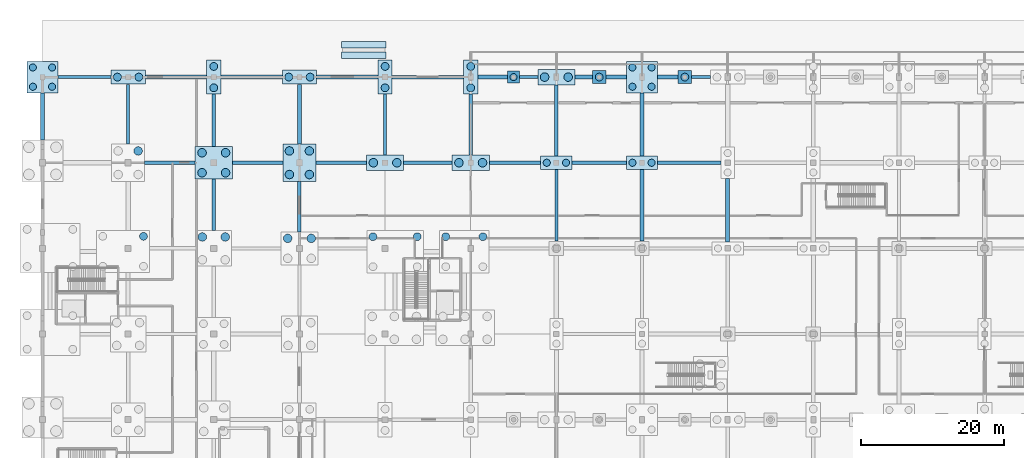
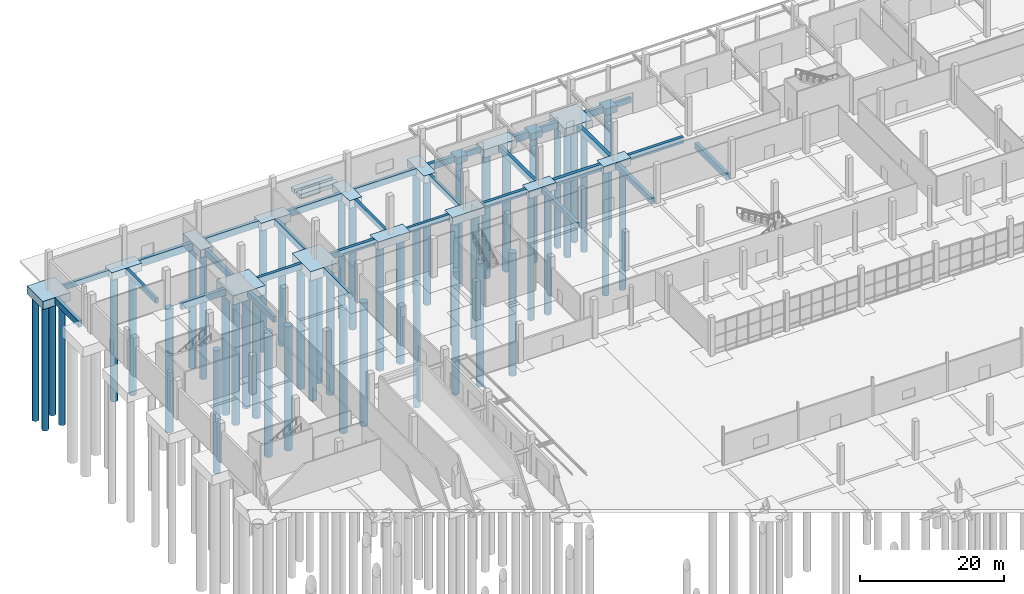
# One storey, part 12 of 117: 50 footings, 49 piles.
"""IFC4 building model written with IfcOpenShell, lengths in metres."""

from ifc_helpers import new_model, si_unit, direction, frame, origin, origin_2d, place, context, subcontext, project, spatial, rectangle, circle, extrude, material, material_profile, profile_set, type_object, element, save


model = new_model("IFC4")

# Units and contexts
model_context = context("Model", 3, precision=1e-05, world=origin(), true_north=direction((0.0, 1.0)))
body_context = subcontext(model_context, "Body", "Model", "MODEL_VIEW")
ifc_project = project(units=[si_unit("LENGTHUNIT", "METRE"), si_unit("AREAUNIT", "SQUARE_METRE"), si_unit("VOLUMEUNIT", "CUBIC_METRE"), si_unit("PLANEANGLEUNIT", "RADIAN"), si_unit("MASSUNIT", "GRAM", prefix="KILO")], contexts=[model_context])

# Site, building, storey
site_placement = place(None, origin())
site = spatial("IfcSite", under=ifc_project, at=site_placement, CompositionType="ELEMENT")
building_placement = place(site_placement, origin())
building = spatial("IfcBuilding", under=site, at=building_placement, Name="Kamomehara Wholesale Market", CompositionType="ELEMENT")
storey_placement = place(building_placement, origin())
storey = spatial("IfcBuildingStorey", under=building, at=storey_placement, Name="L00", CompositionType="ELEMENT", Elevation=0.0)

# Footings
ifc_material_1 = material(Name="Concrete Fc30 (C30/37)", Category="concrete")
footing_type_1 = type_object("IfcFootingType", Name="CAP-1P-1700", PredefinedType="PILE_CAP", material=ifc_material_1)
footing_1_placement = place(storey_placement, frame((66.0, 156.0, -1.10009765625), z_axis=(0.0, 0.0, 1.0), x_axis=(1.0, 0.0, 0.0)))
element("IfcFooting", 1, at=footing_1_placement, inside=storey, type_object=footing_type_1, Name="Pile cap PC-01", PredefinedType="PILE_CAP", context=body_context, shape_type="SweptSolid", body=[
    extrude(rectangle(XDim=1.699951171875, YDim=1.699951171875, at=origin_2d()), origin(), (0.0, 0.0, 1.0), 1.10009765625),
])
ifc_material_2 = material(Name="Concrete Fc30 (C30/37)", Category="concrete")
footing_type_2 = type_object("IfcFootingType", Name="CAP-1P-1850", PredefinedType="PILE_CAP", material=ifc_material_2)
for number, where, z_axis, x_axis, name in (
    (2, (78.0, 156.0, -1.14990234375), (0.0, 0.0, 1.0), (1.0, 0.0, 0.0), "Pile cap PC-02"),
    (3, (90.0, 156.0, -1.14990234375), (0.0, 0.0, 1.0), (1.0, 0.0, 0.0), "Pile cap PC-02"),
):
    element("IfcFooting", number, at=place(storey_placement, frame(where, z_axis=z_axis, x_axis=x_axis)), inside=storey, type_object=footing_type_2, Name=name, PredefinedType="PILE_CAP", context=body_context, shape_type="SweptSolid", body=[
        extrude(rectangle(XDim=1.85009765625, YDim=1.85009765625, at=origin_2d()), origin(), (0.0, 0.0, 1.0), 1.14990234375),
    ])
ifc_material_3 = material(Name="Concrete Fc30 (C30/37)", Category="concrete")
footing_type_3 = type_object("IfcFootingType", Name="CAP-2PX-4400", PredefinedType="PILE_CAP", material=ifc_material_3)
for number, where, z_axis, x_axis, name in (
    (4, (72.0, 144.0, -1.25), (0.0, 0.0, 1.0), (1.0, 0.0, 0.0), "Pile cap PC-04"),
    (5, (84.0, 144.0, -1.25), (0.0, 0.0, 1.0), (1.0, 0.0, 0.0), "Pile cap PC-04"),
):
    element("IfcFooting", number, at=place(storey_placement, frame(where, z_axis=z_axis, x_axis=x_axis)), inside=storey, type_object=footing_type_3, Name=name, PredefinedType="PILE_CAP", context=body_context, shape_type="SweptSolid", body=[
        extrude(rectangle(XDim=4.39990234375, YDim=1.85009765625, at=origin_2d()), origin(), (0.0, 0.0, 1.0), 1.25),
    ])
ifc_material_4 = material(Name="Concrete Fc30 (C30/37)", Category="concrete")
footing_type_4 = type_object("IfcFootingType", Name="CAP-2PX-4800", PredefinedType="PILE_CAP", material=ifc_material_4)
for number, where, z_axis, x_axis, name in (
    (6, (12.0, 156.0, -1.2998046875), (0.0, 0.0, 1.0), (1.0, 0.0, 0.0), "Pile cap PC-06"),
    (7, (36.0, 156.0, -1.2998046875), (0.0, 0.0, 1.0), (1.0, 0.0, 0.0), "Pile cap PC-06"),
):
    element("IfcFooting", number, at=place(storey_placement, frame(where, z_axis=z_axis, x_axis=x_axis)), inside=storey, type_object=footing_type_4, Name=name, PredefinedType="PILE_CAP", context=body_context, shape_type="SweptSolid", body=[
        extrude(rectangle(XDim=4.800048828125, YDim=2.0, at=origin_2d()), origin(), (0.0, 0.0, 1.0), 1.300048828125),
    ])
ifc_material_5 = material(Name="Concrete Fc30 (C30/37)", Category="concrete")
footing_type_5 = type_object("IfcFootingType", Name="CAP-2PX-5200", PredefinedType="PILE_CAP", material=ifc_material_5)
for number, where, z_axis, x_axis, name in (
    (8, (48.0, 144.0, -1.35009765625), (0.0, 0.0, 1.0), (1.0, 0.0, 0.0), "Pile cap PC-08"),
    (9, (60.0, 144.0, -1.35009765625), (0.0, 0.0, 1.0), (1.0, 0.0, 0.0), "Pile cap PC-08"),
    (10, (72.0, 156.0, -1.35009765625), (0.0, 0.0, 1.0), (1.0, 0.0, 0.0), "Pile cap PC-08"),
):
    element("IfcFooting", number, at=place(storey_placement, frame(where, z_axis=z_axis, x_axis=x_axis)), inside=storey, type_object=footing_type_5, Name=name, PredefinedType="PILE_CAP", context=body_context, shape_type="SweptSolid", body=[
        extrude(rectangle(XDim=5.199951171875, YDim=2.14990234375, at=origin_2d()), origin(), (0.0, 0.0, 1.0), 1.35009765625),
    ])
ifc_material_6 = material(Name="Concrete Fc30 (C30/37)", Category="concrete")
footing_type_6 = type_object("IfcFootingType", Name="CAP-2PY-4800", PredefinedType="PILE_CAP", material=ifc_material_6)
for number, where, z_axis, x_axis, name in (
    (11, (24.0, 156.0, -1.2998046875), (0.0, 0.0, 1.0), (1.0, 0.0, 0.0), "Pile cap PC-07"),
    (12, (48.0, 156.0, -1.2998046875), (0.0, 0.0, 1.0), (1.0, 0.0, 0.0), "Pile cap PC-07"),
    (13, (60.0, 156.0, -1.2998046875), (0.0, 0.0, 1.0), (1.0, 0.0, 0.0), "Pile cap PC-07"),
):
    element("IfcFooting", number, at=place(storey_placement, frame(where, z_axis=z_axis, x_axis=x_axis)), inside=storey, type_object=footing_type_6, Name=name, PredefinedType="PILE_CAP", context=body_context, shape_type="SweptSolid", body=[
        extrude(rectangle(XDim=2.0, YDim=4.800048828125, at=origin_2d()), origin(), (0.0, 0.0, 1.0), 1.300048828125),
    ])
ifc_material_7 = material(Name="Concrete Fc30 (C30/37)", Category="concrete")
footing_type_7 = type_object("IfcFootingType", Name="CAP-4P-4400", PredefinedType="PILE_CAP", material=ifc_material_7)
for number, where, z_axis, x_axis, name in (
    (14, (0.0, 156.0, -1.39990234375), (0.0, 0.0, 1.0), (1.0, 0.0, 0.0), "Pile cap PC-10"),
    (15, (84.0, 156.0, -1.39990234375), (0.0, 0.0, 1.0), (1.0, 0.0, 0.0), "Pile cap PC-10"),
):
    element("IfcFooting", number, at=place(storey_placement, frame(where, z_axis=z_axis, x_axis=x_axis)), inside=storey, type_object=footing_type_7, Name=name, PredefinedType="PILE_CAP", context=body_context, shape_type="SweptSolid", body=[
        extrude(rectangle(XDim=4.39990234375, YDim=4.39990234375, at=origin_2d()), origin(), (0.0, 0.0, 1.0), 1.39990234375),
    ])
ifc_material_8 = material(Name="Concrete Fc30 (C30/37)", Category="concrete")
footing_type_8 = type_object("IfcFootingType", Name="CAP-4PR-4600", PredefinedType="PILE_CAP", material=ifc_material_8)
footing_2_placement = place(storey_placement, frame((36.0, 144.0, -1.5498046875), z_axis=(0.0, 0.0, 1.0), x_axis=(1.0, 0.0, 0.0)))
element("IfcFooting", 16, at=footing_2_placement, inside=storey, type_object=footing_type_8, Name="Pile cap PC-16", PredefinedType="PILE_CAP", context=body_context, shape_type="SweptSolid", body=[
    extrude(rectangle(XDim=4.60009765625, YDim=5.199951171875, at=origin_2d()), origin(), (0.0, 0.0, 1.0), 1.550048828125),
])
ifc_material_9 = material(Name="Concrete Fc30 (C30/37)", Category="concrete")
footing_type_9 = type_object("IfcFootingType", Name="CAP-4PR-5200", PredefinedType="PILE_CAP", material=ifc_material_9)
footing_3_placement = place(storey_placement, frame((24.0, 144.0, -1.5498046875), z_axis=(0.0, 0.0, 1.0), x_axis=(1.0, 0.0, 0.0)))
element("IfcFooting", 17, at=footing_3_placement, inside=storey, type_object=footing_type_9, Name="Pile cap PC-15", PredefinedType="PILE_CAP", context=body_context, shape_type="SweptSolid", body=[
    extrude(rectangle(XDim=5.199951171875, YDim=4.60009765625, at=origin_2d()), origin(), (0.0, 0.0, 1.0), 1.550048828125),
])
ifc_material_10 = material(Name="Concrete Fc30 (C30/37)", Category="concrete")
ifc_material_profile_1 = material_profile(ifc_material_10, rectangle(XDim=0.449951171875, YDim=0.89990234375, at=origin_2d()), Name="RC-FTB-450x900")
ifc_profile_set_1 = profile_set([ifc_material_profile_1], Name="Concrete Fc30 (C30/37)")
footing_type_10 = type_object("IfcFootingType", Name="FTB-450x900", PredefinedType="FOOTING_BEAM", material=ifc_profile_set_1)
footing_4_placement = place(storey_placement, frame((2.201904296875, 156.0, -0.449951171875), z_axis=(1.0, 0.0, 0.0), x_axis=(0.0, 1.0, 0.0)))
element("IfcFooting", 18, at=footing_4_placement, inside=storey, type_object=footing_type_10, Name="Foundation tie beam 11", PredefinedType="FOOTING_BEAM", context=body_context, shape_type="SweptSolid", body=[
    extrude(rectangle(XDim=0.449951171875, YDim=0.89990234375, at=origin_2d()), origin(), (0.0, 0.0, 1.0), 7.39599609375),
])
footing_5_placement = place(storey_placement, frame((50.60205078125, 144.0, -0.449951171875), z_axis=(1.0, 0.0, 0.0), x_axis=(0.0, 1.0, 0.0)))
element("IfcFooting", 19, at=footing_5_placement, inside=storey, type_object=footing_type_10, Name="Foundation tie beam 51", PredefinedType="FOOTING_BEAM", context=body_context, shape_type="SweptSolid", body=[
    extrude(rectangle(XDim=0.449951171875, YDim=0.89990234375, at=origin_2d()), origin(), (0.0, 0.0, 1.0), 6.7958984375),
])
footing_6_placement = place(storey_placement, frame((66.85205078125, 156.0, -0.449951171875), z_axis=(1.0, 0.0, 0.0), x_axis=(0.0, 1.0, 0.0)))
element("IfcFooting", 20, at=footing_6_placement, inside=storey, type_object=footing_type_10, Name="Foundation tie beam 63", PredefinedType="FOOTING_BEAM", context=body_context, shape_type="SweptSolid", body=[
    extrude(rectangle(XDim=0.449951171875, YDim=0.89990234375, at=origin_2d()), origin(), (0.0, 0.0, 1.0), 2.5458984375),
])
footing_7_placement = place(storey_placement, frame((90.927001953125, 156.0, -0.449951171875), z_axis=(1.0, 0.0, 0.0), x_axis=(0.0, 1.0, 0.0)))
element("IfcFooting", 21, at=footing_7_placement, inside=storey, type_object=footing_type_10, Name="Foundation tie beam 91", PredefinedType="FOOTING_BEAM", context=body_context, shape_type="SweptSolid", body=[
    extrude(rectangle(XDim=0.449951171875, YDim=0.89990234375, at=origin_2d()), origin(), (0.0, 0.0, 1.0), 2.6708984375),
])
footing_8_placement = place(storey_placement, frame((12.0, 146.60205078125, -0.449951171875), z_axis=(0.0, 1.0, 0.0), x_axis=(-1.0, 0.0, 0.0)))
element("IfcFooting", 22, at=footing_8_placement, inside=storey, type_object=footing_type_10, Name="Foundation tie beam 219", PredefinedType="FOOTING_BEAM", context=body_context, shape_type="SweptSolid", body=[
    extrude(rectangle(XDim=0.449951171875, YDim=0.89990234375, at=origin_2d()), origin(), (0.0, 0.0, 1.0), 8.39599609375),
])
for number, where, z_axis, x_axis, name in (
    (23, (48.0, 145.076904296875, -0.449951171875), (0.0, 1.0, 0.0), (-1.0, 0.0, 0.0), "Foundation tie beam 247"),
    (24, (60.0, 145.076904296875, -0.449951171875), (0.0, 1.0, 0.0), (-1.0, 0.0, 0.0), "Foundation tie beam 255"),
):
    element("IfcFooting", number, at=place(storey_placement, frame(where, z_axis=z_axis, x_axis=x_axis)), inside=storey, type_object=footing_type_10, Name=name, PredefinedType="FOOTING_BEAM", context=body_context, shape_type="SweptSolid", body=[
        extrude(rectangle(XDim=0.449951171875, YDim=0.89990234375, at=origin_2d()), origin(), (0.0, 0.0, 1.0), 8.52099609375),
    ])
footing_9_placement = place(storey_placement, frame((72.0, 133.001953125, -0.449951171875), z_axis=(0.0, 1.0, 0.0), x_axis=(-1.0, 0.0, 0.0)))
element("IfcFooting", 25, at=footing_9_placement, inside=storey, type_object=footing_type_10, Name="Foundation tie beam 263", PredefinedType="FOOTING_BEAM", context=body_context, shape_type="SweptSolid", body=[
    extrude(rectangle(XDim=0.449951171875, YDim=0.89990234375, at=origin_2d()), origin(), (0.0, 0.0, 1.0), 10.071044921875),
])
ifc_material_11 = material(Name="Concrete Fc30 (C30/37)", Category="concrete")
ifc_material_profile_2 = material_profile(ifc_material_11, rectangle(XDim=0.5, YDim=1.0, at=origin_2d()), Name="RC-FTB-500x1000")
ifc_profile_set_2 = profile_set([ifc_material_profile_2], Name="Concrete Fc30 (C30/37)")
footing_type_11 = type_object("IfcFootingType", Name="FTB-500x1000", PredefinedType="FOOTING_BEAM", material=ifc_profile_set_2)
for number, where, z_axis, x_axis, name in (
    (26, (26.60205078125, 144.0, -0.5), (1.0, 0.0, 0.0), (0.0, 1.0, 0.0), "Foundation tie beam 32"),
    (27, (38.302001953125, 144.0, -0.5), (1.0, 0.0, 0.0), (0.0, 1.0, 0.0), "Foundation tie beam 40"),
):
    element("IfcFooting", number, at=place(storey_placement, frame(where, z_axis=z_axis, x_axis=x_axis)), inside=storey, type_object=footing_type_11, Name=name, PredefinedType="FOOTING_BEAM", context=body_context, shape_type="SweptSolid", body=[
        extrude(rectangle(XDim=0.5, YDim=1.0, at=origin_2d()), origin(), (0.0, 0.0, 1.0), 7.095947265625),
    ])
footing_10_placement = place(storey_placement, frame((49.001953125, 156.0, -0.5), z_axis=(1.0, 0.0, 0.0), x_axis=(0.0, 1.0, 0.0)))
element("IfcFooting", 28, at=footing_10_placement, inside=storey, type_object=footing_type_11, Name="Foundation tie beam 52", PredefinedType="FOOTING_BEAM", context=body_context, shape_type="SweptSolid", body=[
    extrude(rectangle(XDim=0.5, YDim=1.0, at=origin_2d()), origin(), (0.0, 0.0, 1.0), 9.99609375),
])
footing_11_placement = place(storey_placement, frame((62.60205078125, 144.0, -0.5), z_axis=(1.0, 0.0, 0.0), x_axis=(0.0, 1.0, 0.0)))
element("IfcFooting", 29, at=footing_11_placement, inside=storey, type_object=footing_type_11, Name="Foundation tie beam 60", PredefinedType="FOOTING_BEAM", context=body_context, shape_type="SweptSolid", body=[
    extrude(rectangle(XDim=0.5, YDim=1.0, at=origin_2d()), origin(), (0.0, 0.0, 1.0), 7.196044921875),
])
footing_12_placement = place(storey_placement, frame((86.201904296875, 144.0, -0.5), z_axis=(1.0, 0.0, 0.0), x_axis=(0.0, 1.0, 0.0)))
element("IfcFooting", 30, at=footing_12_placement, inside=storey, type_object=footing_type_11, Name="Foundation tie beam 88", PredefinedType="FOOTING_BEAM", context=body_context, shape_type="SweptSolid", body=[
    extrude(rectangle(XDim=0.5, YDim=1.0, at=origin_2d()), origin(), (0.0, 0.0, 1.0), 8.87109375),
])
footing_13_placement = place(storey_placement, frame((24.0, 134.501953125, -0.5), z_axis=(0.0, 1.0, 0.0), x_axis=(-1.0, 0.0, 0.0)))
element("IfcFooting", 31, at=footing_13_placement, inside=storey, type_object=footing_type_11, Name="Foundation tie beam 228", PredefinedType="FOOTING_BEAM", context=body_context, shape_type="SweptSolid", body=[
    extrude(rectangle(XDim=0.5, YDim=1.0, at=origin_2d()), origin(), (0.0, 0.0, 1.0), 7.196044921875),
])
footing_14_placement = place(storey_placement, frame((36.0, 134.302001953125, -0.5), z_axis=(0.0, 1.0, 0.0), x_axis=(-1.0, 0.0, 0.0)))
element("IfcFooting", 32, at=footing_14_placement, inside=storey, type_object=footing_type_11, Name="Foundation tie beam 240", PredefinedType="FOOTING_BEAM", context=body_context, shape_type="SweptSolid", body=[
    extrude(rectangle(XDim=0.5, YDim=1.0, at=origin_2d()), origin(), (0.0, 0.0, 1.0), 7.095947265625),
])
footing_15_placement = place(storey_placement, frame((72.0, 144.927001953125, -0.5), z_axis=(0.0, 1.0, 0.0), x_axis=(-1.0, 0.0, 0.0)))
element("IfcFooting", 33, at=footing_15_placement, inside=storey, type_object=footing_type_11, Name="Foundation tie beam 264", PredefinedType="FOOTING_BEAM", context=body_context, shape_type="SweptSolid", body=[
    extrude(rectangle(XDim=0.5, YDim=1.0, at=origin_2d()), origin(), (0.0, 0.0, 1.0), 9.99609375),
])
footing_16_placement = place(storey_placement, frame((84.0, 133.001953125, -0.5), z_axis=(0.0, 1.0, 0.0), x_axis=(-1.0, 0.0, 0.0)))
element("IfcFooting", 34, at=footing_16_placement, inside=storey, type_object=footing_type_11, Name="Foundation tie beam 272", PredefinedType="FOOTING_BEAM", context=body_context, shape_type="SweptSolid", body=[
    extrude(rectangle(XDim=0.5, YDim=1.0, at=origin_2d()), origin(), (0.0, 0.0, 1.0), 10.071044921875),
])
ifc_material_12 = material(Name="Concrete Fc30 (C30/37)", Category="concrete")
ifc_material_profile_3 = material_profile(ifc_material_12, rectangle(XDim=0.550048828125, YDim=1.10009765625, at=origin_2d()), Name="RC-FTB-550x1100")
ifc_profile_set_3 = profile_set([ifc_material_profile_3], Name="Concrete Fc30 (C30/37)")
footing_type_12 = type_object("IfcFootingType", Name="FTB-550x1100", PredefinedType="FOOTING_BEAM", material=ifc_profile_set_3)
footing_17_placement = place(storey_placement, frame((14.302001953125, 144.0, -0.550048828125), z_axis=(1.0, 0.0, 0.0), x_axis=(0.0, 1.0, 0.0)))
element("IfcFooting", 35, at=footing_17_placement, inside=storey, type_object=footing_type_12, Name="Foundation tie beam 21", PredefinedType="FOOTING_BEAM", context=body_context, shape_type="SweptSolid", body=[
    extrude(rectangle(XDim=0.550048828125, YDim=1.10009765625, at=origin_2d()), origin(), (0.0, 0.0, 1.0), 7.095947265625),
])
for number, where, z_axis, x_axis, name in (
    (36, (25.001953125, 156.0, -0.550048828125), (1.0, 0.0, 0.0), (0.0, 1.0, 0.0), "Foundation tie beam 33"),
    (37, (38.402099609375, 156.0, -0.550048828125), (1.0, 0.0, 0.0), (0.0, 1.0, 0.0), "Foundation tie beam 41"),
):
    element("IfcFooting", number, at=place(storey_placement, frame(where, z_axis=z_axis, x_axis=x_axis)), inside=storey, type_object=footing_type_12, Name=name, PredefinedType="FOOTING_BEAM", context=body_context, shape_type="SweptSolid", body=[
        extrude(rectangle(XDim=0.550048828125, YDim=1.10009765625, at=origin_2d()), origin(), (0.0, 0.0, 1.0), 8.595947265625),
    ])
footing_18_placement = place(storey_placement, frame((61.001953125, 156.0, -0.550048828125), z_axis=(1.0, 0.0, 0.0), x_axis=(0.0, 1.0, 0.0)))
element("IfcFooting", 38, at=footing_18_placement, inside=storey, type_object=footing_type_12, Name="Foundation tie beam 61", PredefinedType="FOOTING_BEAM", context=body_context, shape_type="SweptSolid", body=[
    extrude(rectangle(XDim=0.550048828125, YDim=1.10009765625, at=origin_2d()), origin(), (0.0, 0.0, 1.0), 4.14599609375),
])
footing_19_placement = place(storey_placement, frame((74.201904296875, 144.0, -0.550048828125), z_axis=(1.0, 0.0, 0.0), x_axis=(0.0, 1.0, 0.0)))
element("IfcFooting", 39, at=footing_19_placement, inside=storey, type_object=footing_type_12, Name="Foundation tie beam 73", PredefinedType="FOOTING_BEAM", context=body_context, shape_type="SweptSolid", body=[
    extrude(rectangle(XDim=0.550048828125, YDim=1.10009765625, at=origin_2d()), origin(), (0.0, 0.0, 1.0), 7.59619140625),
])
for number, where, z_axis, x_axis, name in (
    (40, (78.927001953125, 156.0, -0.550048828125), (1.0, 0.0, 0.0), (0.0, 1.0, 0.0), "Foundation tie beam 77"),
    (41, (86.201904296875, 156.0, -0.550048828125), (1.0, 0.0, 0.0), (0.0, 1.0, 0.0), "Foundation tie beam 89"),
):
    element("IfcFooting", number, at=place(storey_placement, frame(where, z_axis=z_axis, x_axis=x_axis)), inside=storey, type_object=footing_type_12, Name=name, PredefinedType="FOOTING_BEAM", context=body_context, shape_type="SweptSolid", body=[
        extrude(rectangle(XDim=0.550048828125, YDim=1.10009765625, at=origin_2d()), origin(), (0.0, 0.0, 1.0), 2.87109375),
    ])
footing_20_placement = place(storey_placement, frame((0.0, 147.1640625, -0.550048828125), z_axis=(0.0, 1.0, 0.0), x_axis=(-1.0, 0.0, 0.0)))
element("IfcFooting", 42, at=footing_20_placement, inside=storey, type_object=footing_type_12, Name="Foundation tie beam 209", PredefinedType="FOOTING_BEAM", context=body_context, shape_type="SweptSolid", body=[
    extrude(rectangle(XDim=0.550048828125, YDim=1.10009765625, at=origin_2d()), origin(), (0.0, 0.0, 1.0), 6.634033203125),
])
footing_21_placement = place(storey_placement, frame((24.0, 146.302001953125, -0.550048828125), z_axis=(0.0, 1.0, 0.0), x_axis=(-1.0, 0.0, 0.0)))
element("IfcFooting", 43, at=footing_21_placement, inside=storey, type_object=footing_type_12, Name="Foundation tie beam 229", PredefinedType="FOOTING_BEAM", context=body_context, shape_type="SweptSolid", body=[
    extrude(rectangle(XDim=0.550048828125, YDim=1.10009765625, at=origin_2d()), origin(), (0.0, 0.0, 1.0), 7.2958984375),
])
footing_22_placement = place(storey_placement, frame((36.0, 146.60205078125, -0.550048828125), z_axis=(0.0, 1.0, 0.0), x_axis=(-1.0, 0.0, 0.0)))
element("IfcFooting", 44, at=footing_22_placement, inside=storey, type_object=footing_type_12, Name="Foundation tie beam 241", PredefinedType="FOOTING_BEAM", context=body_context, shape_type="SweptSolid", body=[
    extrude(rectangle(XDim=0.550048828125, YDim=1.10009765625, at=origin_2d()), origin(), (0.0, 0.0, 1.0), 8.39599609375),
])
for number, where, z_axis, x_axis, name in (
    (45, (84.0, 144.927001953125, -0.550048828125), (0.0, 1.0, 0.0), (-1.0, 0.0, 0.0), "Foundation tie beam 273"),
    (46, (96.0, 132.927001953125, -0.550048828125), (0.0, 1.0, 0.0), (-1.0, 0.0, 0.0), "Foundation tie beam 281"),
):
    element("IfcFooting", number, at=place(storey_placement, frame(where, z_axis=z_axis, x_axis=x_axis)), inside=storey, type_object=footing_type_12, Name=name, PredefinedType="FOOTING_BEAM", context=body_context, shape_type="SweptSolid", body=[
        extrude(rectangle(XDim=0.550048828125, YDim=1.10009765625, at=origin_2d()), origin(), (0.0, 0.0, 1.0), 8.87109375),
    ])
ifc_material_13 = material(Name="Concrete Fc30 (C30/37)", Category="concrete")
ifc_material_profile_4 = material_profile(ifc_material_13, rectangle(XDim=0.60009765625, YDim=1.199951171875, at=origin_2d()), Name="RC-FTB-600x1200")
ifc_profile_set_4 = profile_set([ifc_material_profile_4], Name="Concrete Fc30 (C30/37)")
footing_type_13 = type_object("IfcFootingType", Name="FTB-600x1200", PredefinedType="FOOTING_BEAM", material=ifc_profile_set_4)
footing_23_placement = place(storey_placement, frame((14.402099609375, 156.0, -0.60009765625), z_axis=(1.0, 0.0, 0.0), x_axis=(0.0, 1.0, 0.0)))
element("IfcFooting", 47, at=footing_23_placement, inside=storey, type_object=footing_type_13, Name="Foundation tie beam 22", PredefinedType="FOOTING_BEAM", context=body_context, shape_type="SweptSolid", body=[
    extrude(rectangle(XDim=0.60009765625, YDim=1.199951171875, at=origin_2d()), origin(), (0.0, 0.0, 1.0), 8.595947265625),
])
footing_24_placement = place(storey_placement, frame((74.60205078125, 156.0, -0.60009765625), z_axis=(1.0, 0.0, 0.0), x_axis=(0.0, 1.0, 0.0)))
element("IfcFooting", 48, at=footing_24_placement, inside=storey, type_object=footing_type_13, Name="Foundation tie beam 74", PredefinedType="FOOTING_BEAM", context=body_context, shape_type="SweptSolid", body=[
    extrude(rectangle(XDim=0.60009765625, YDim=1.199951171875, at=origin_2d()), origin(), (0.0, 0.0, 1.0), 2.470947265625),
])
ifc_material_14 = material(Name="Concrete Fc30 (C30/37)", Category="concrete")
footing_type_14 = type_object("IfcFootingType", Name="PAD-RMP-1800", PredefinedType="PAD_FOOTING", material=ifc_material_14)
for number, where, z_axis, x_axis, name in (
    (49, (45.0, 159.050048828125, -0.89990234375), (0.0, 0.0, 1.0), (1.0, 0.0, 0.0), "Ramp toe footing PR-04.1"),
    (50, (45.0, 160.550048828125, -0.9599609375), (0.0, 0.0, 1.0), (1.0, 0.0, 0.0), "Ramp toe footing PR-04.2"),
):
    element("IfcFooting", number, at=place(storey_placement, frame(where, z_axis=z_axis, x_axis=x_axis)), inside=storey, type_object=footing_type_14, Name=name, PredefinedType="PAD_FOOTING", context=body_context, shape_type="SweptSolid", body=[
        extrude(rectangle(XDim=6.199951171875, YDim=0.89990234375, at=origin_2d()), origin(), (0.0, 0.0, 1.0), 0.699951171875),
    ])

# Piles
ifc_material_15 = material(Name="Concrete Fc30 (C30/37)", Category="concrete")
ifc_material_profile_5 = material_profile(ifc_material_15, circle(Radius=0.5, at=origin_2d()), Name="RC-PILE-D1000")
ifc_profile_set_5 = profile_set([ifc_material_profile_5], Name="Concrete Fc30 (C30/37)")
pile_type_1 = type_object("IfcPileType", Name="PILE-D1000", PredefinedType="BORED", material=ifc_profile_set_5)
for number, where, z_axis, x_axis, name in (
    (51, (-1.35009765625, 154.64990234375, -1.300048828125), (0.0, 0.0, -1.0), (1.0, 0.0, 0.0), "Bored pile 11.41"),
    (52, (1.35009765625, 154.64990234375, -1.300048828125), (0.0, 0.0, -1.0), (1.0, 0.0, 0.0), "Bored pile 11.42"),
    (53, (-1.35009765625, 157.35009765625, -1.300048828125), (0.0, 0.0, -1.0), (1.0, 0.0, 0.0), "Bored pile 11.43"),
    (54, (1.35009765625, 157.35009765625, -1.300048828125), (0.0, 0.0, -1.0), (1.0, 0.0, 0.0), "Bored pile 11.44"),
):
    element("IfcPile", number, at=place(storey_placement, frame(where, z_axis=z_axis, x_axis=x_axis)), inside=storey, type_object=pile_type_1, Name=name, PredefinedType="BORED", context=body_context, shape_type="SweptSolid", body=[
        extrude(circle(Radius=0.5, at=origin_2d()), origin(), (0.0, 0.0, 1.0), 21.199951171875),
    ])
pile_1_placement = place(storey_placement, frame((66.0, 156.0, -1.0), z_axis=(0.0, 0.0, -1.0), x_axis=(1.0, 0.0, 0.0)))
element("IfcPile", 55, at=pile_1_placement, inside=storey, type_object=pile_type_1, Name="Bored pile 70.230", PredefinedType="BORED", context=body_context, shape_type="SweptSolid", body=[
    extrude(circle(Radius=0.5, at=origin_2d()), origin(), (0.0, 0.0, 1.0), 21.5),
])
for number, where, z_axis, x_axis, name in (
    (56, (70.64990234375, 144.0, -1.14990234375), (0.0, 0.0, -1.0), (1.0, 0.0, 0.0), "Bored pile 83.262"),
    (57, (73.35009765625, 144.0, -1.14990234375), (0.0, 0.0, -1.0), (1.0, 0.0, 0.0), "Bored pile 83.263"),
    (58, (82.64990234375, 144.0, -1.14990234375), (0.0, 0.0, -1.0), (1.0, 0.0, 0.0), "Bored pile 98.295"),
    (59, (85.35009765625, 144.0, -1.14990234375), (0.0, 0.0, -1.0), (1.0, 0.0, 0.0), "Bored pile 98.296"),
):
    element("IfcPile", number, at=place(storey_placement, frame(where, z_axis=z_axis, x_axis=x_axis)), inside=storey, type_object=pile_type_1, Name=name, PredefinedType="BORED", context=body_context, shape_type="SweptSolid", body=[
        extrude(circle(Radius=0.5, at=origin_2d()), origin(), (0.0, 0.0, 1.0), 21.35009765625),
    ])
for number, where, z_axis, x_axis, name in (
    (60, (82.64990234375, 154.64990234375, -1.300048828125), (0.0, 0.0, -1.0), (1.0, 0.0, 0.0), "Bored pile 99.297"),
    (61, (85.35009765625, 154.64990234375, -1.300048828125), (0.0, 0.0, -1.0), (1.0, 0.0, 0.0), "Bored pile 99.298"),
    (62, (82.64990234375, 157.35009765625, -1.300048828125), (0.0, 0.0, -1.0), (1.0, 0.0, 0.0), "Bored pile 99.299"),
    (63, (85.35009765625, 157.35009765625, -1.300048828125), (0.0, 0.0, -1.0), (1.0, 0.0, 0.0), "Bored pile 99.300"),
):
    element("IfcPile", number, at=place(storey_placement, frame(where, z_axis=z_axis, x_axis=x_axis)), inside=storey, type_object=pile_type_1, Name=name, PredefinedType="BORED", context=body_context, shape_type="SweptSolid", body=[
        extrude(circle(Radius=0.5, at=origin_2d()), origin(), (0.0, 0.0, 1.0), 21.199951171875),
    ])
ifc_material_16 = material(Name="Concrete Fc30 (C30/37)", Category="concrete")
ifc_material_profile_6 = material_profile(ifc_material_16, circle(Radius=0.550048828125, at=origin_2d()), Name="RC-PILE-D1100")
ifc_profile_set_6 = profile_set([ifc_material_profile_6], Name="Concrete Fc30 (C30/37)")
pile_type_2 = type_object("IfcPileType", Name="PILE-D1100", PredefinedType="BORED", material=ifc_profile_set_6)
pile_2_placement = place(storey_placement, frame((14.14990234375, 133.68798828125, -1.550048828125), z_axis=(0.0, 0.0, -1.0), x_axis=(1.0, 0.0, 0.0)))
element("IfcPile", 64, at=pile_2_placement, inside=storey, type_object=pile_type_2, Name="Bored pile 20.78", PredefinedType="BORED", context=body_context, shape_type="SweptSolid", body=[
    extrude(circle(Radius=0.550048828125, at=origin_2d()), origin(), (0.0, 0.0, 1.0), 20.949951171875),
])
for number, where, z_axis, x_axis, name in (
    (65, (10.5, 156.0, -1.199951171875), (0.0, 0.0, -1.0), (1.0, 0.0, 0.0), "Bored pile 22.83"),
    (66, (13.5, 156.0, -1.199951171875), (0.0, 0.0, -1.0), (1.0, 0.0, 0.0), "Bored pile 22.84"),
    (67, (24.0, 154.5, -1.199951171875), (0.0, 0.0, -1.0), (1.0, 0.0, 0.0), "Bored pile 33.125"),
    (68, (24.0, 157.5, -1.199951171875), (0.0, 0.0, -1.0), (1.0, 0.0, 0.0), "Bored pile 33.126"),
    (69, (34.5, 156.0, -1.199951171875), (0.0, 0.0, -1.0), (1.0, 0.0, 0.0), "Bored pile 46.168"),
    (70, (37.5, 156.0, -1.199951171875), (0.0, 0.0, -1.0), (1.0, 0.0, 0.0), "Bored pile 46.169"),
):
    element("IfcPile", number, at=place(storey_placement, frame(where, z_axis=z_axis, x_axis=x_axis)), inside=storey, type_object=pile_type_2, Name=name, PredefinedType="BORED", context=body_context, shape_type="SweptSolid", body=[
        extrude(circle(Radius=0.550048828125, at=origin_2d()), origin(), (0.0, 0.0, 1.0), 21.300048828125),
    ])
for number, where, z_axis, x_axis, name in (
    (71, (46.300048828125, 133.636962890625, -1.550048828125), (0.0, 0.0, -1.0), (1.0, 0.0, 0.0), "Bored pile 55.191"),
    (72, (52.5, 133.636962890625, -1.550048828125), (0.0, 0.0, -1.0), (1.0, 0.0, 0.0), "Bored pile 55.192"),
):
    element("IfcPile", number, at=place(storey_placement, frame(where, z_axis=z_axis, x_axis=x_axis)), inside=storey, type_object=pile_type_2, Name=name, PredefinedType="BORED", context=body_context, shape_type="SweptSolid", body=[
        extrude(circle(Radius=0.550048828125, at=origin_2d()), origin(), (0.0, 0.0, 1.0), 20.949951171875),
    ])
for number, where, z_axis, x_axis, name in (
    (73, (48.0, 154.5, -1.199951171875), (0.0, 0.0, -1.0), (1.0, 0.0, 0.0), "Bored pile 57.195"),
    (74, (48.0, 157.5, -1.199951171875), (0.0, 0.0, -1.0), (1.0, 0.0, 0.0), "Bored pile 57.196"),
):
    element("IfcPile", number, at=place(storey_placement, frame(where, z_axis=z_axis, x_axis=x_axis)), inside=storey, type_object=pile_type_2, Name=name, PredefinedType="BORED", context=body_context, shape_type="SweptSolid", body=[
        extrude(circle(Radius=0.550048828125, at=origin_2d()), origin(), (0.0, 0.0, 1.0), 21.300048828125),
    ])
for number, where, z_axis, x_axis, name in (
    (75, (56.5, 133.636962890625, -1.550048828125), (0.0, 0.0, -1.0), (1.0, 0.0, 0.0), "Bored pile 66.223"),
    (76, (61.699951171875, 133.636962890625, -1.550048828125), (0.0, 0.0, -1.0), (1.0, 0.0, 0.0), "Bored pile 66.224"),
):
    element("IfcPile", number, at=place(storey_placement, frame(where, z_axis=z_axis, x_axis=x_axis)), inside=storey, type_object=pile_type_2, Name=name, PredefinedType="BORED", context=body_context, shape_type="SweptSolid", body=[
        extrude(circle(Radius=0.550048828125, at=origin_2d()), origin(), (0.0, 0.0, 1.0), 20.949951171875),
    ])
for number, where, z_axis, x_axis, name in (
    (77, (60.0, 154.5, -1.199951171875), (0.0, 0.0, -1.0), (1.0, 0.0, 0.0), "Bored pile 68.227"),
    (78, (60.0, 157.5, -1.199951171875), (0.0, 0.0, -1.0), (1.0, 0.0, 0.0), "Bored pile 68.228"),
):
    element("IfcPile", number, at=place(storey_placement, frame(where, z_axis=z_axis, x_axis=x_axis)), inside=storey, type_object=pile_type_2, Name=name, PredefinedType="BORED", context=body_context, shape_type="SweptSolid", body=[
        extrude(circle(Radius=0.550048828125, at=origin_2d()), origin(), (0.0, 0.0, 1.0), 21.300048828125),
    ])
for number, where, z_axis, x_axis, name in (
    (79, (78.0, 156.0, -1.050048828125), (0.0, 0.0, -1.0), (1.0, 0.0, 0.0), "Bored pile 87.268"),
    (80, (90.0, 156.0, -1.050048828125), (0.0, 0.0, -1.0), (1.0, 0.0, 0.0), "Bored pile 101.302"),
):
    element("IfcPile", number, at=place(storey_placement, frame(where, z_axis=z_axis, x_axis=x_axis)), inside=storey, type_object=pile_type_2, Name=name, PredefinedType="BORED", context=body_context, shape_type="SweptSolid", body=[
        extrude(circle(Radius=0.550048828125, at=origin_2d()), origin(), (0.0, 0.0, 1.0), 21.449951171875),
    ])
ifc_material_17 = material(Name="Concrete Fc30 (C30/37)", Category="concrete")
ifc_material_profile_7 = material_profile(ifc_material_17, circle(Radius=0.60009765625, at=origin_2d()), Name="RC-PILE-D1200")
ifc_profile_set_7 = profile_set([ifc_material_profile_7], Name="Concrete Fc30 (C30/37)")
pile_type_3 = type_object("IfcPileType", Name="PILE-D1200", PredefinedType="BORED", material=ifc_profile_set_7)
pile_3_placement = place(storey_placement, frame((13.39990234375, 145.64990234375, -1.449951171875), z_axis=(0.0, 0.0, -1.0), x_axis=(1.0, 0.0, 0.0)))
element("IfcPile", 81, at=pile_3_placement, inside=storey, type_object=pile_type_3, Name="Bored pile 21.82", PredefinedType="BORED", context=body_context, shape_type="SweptSolid", body=[
    extrude(circle(Radius=0.60009765625, at=origin_2d()), origin(), (0.0, 0.0, 1.0), 21.050048828125),
])
for number, where, z_axis, x_axis, name in (
    (82, (22.39990234375, 133.60009765625, -1.39990234375), (0.0, 0.0, -1.0), (1.0, 0.0, 0.0), "Bored pile 31.119"),
    (83, (25.60009765625, 133.60009765625, -1.39990234375), (0.0, 0.0, -1.0), (1.0, 0.0, 0.0), "Bored pile 31.120"),
):
    element("IfcPile", number, at=place(storey_placement, frame(where, z_axis=z_axis, x_axis=x_axis)), inside=storey, type_object=pile_type_3, Name=name, PredefinedType="BORED", context=body_context, shape_type="SweptSolid", body=[
        extrude(circle(Radius=0.60009765625, at=origin_2d()), origin(), (0.0, 0.0, 1.0), 21.10009765625),
    ])
for number, where, z_axis, x_axis, name in (
    (84, (22.35009765625, 142.60009765625, -1.449951171875), (0.0, 0.0, -1.0), (1.0, 0.0, 0.0), "Bored pile 32.121"),
    (85, (25.64990234375, 142.60009765625, -1.449951171875), (0.0, 0.0, -1.0), (1.0, 0.0, 0.0), "Bored pile 32.122"),
    (86, (22.35009765625, 145.39990234375, -1.449951171875), (0.0, 0.0, -1.0), (1.0, 0.0, 0.0), "Bored pile 32.123"),
    (87, (25.64990234375, 145.39990234375, -1.449951171875), (0.0, 0.0, -1.0), (1.0, 0.0, 0.0), "Bored pile 32.124"),
    (88, (34.35009765625, 133.39990234375, -1.449951171875), (0.0, 0.0, -1.0), (1.0, 0.0, 0.0), "Bored pile 44.162"),
    (89, (37.64990234375, 133.39990234375, -1.449951171875), (0.0, 0.0, -1.0), (1.0, 0.0, 0.0), "Bored pile 44.163"),
    (90, (34.60009765625, 142.35009765625, -1.449951171875), (0.0, 0.0, -1.0), (1.0, 0.0, 0.0), "Bored pile 45.164"),
    (91, (37.39990234375, 142.35009765625, -1.449951171875), (0.0, 0.0, -1.0), (1.0, 0.0, 0.0), "Bored pile 45.165"),
    (92, (34.60009765625, 145.64990234375, -1.449951171875), (0.0, 0.0, -1.0), (1.0, 0.0, 0.0), "Bored pile 45.166"),
    (93, (37.39990234375, 145.64990234375, -1.449951171875), (0.0, 0.0, -1.0), (1.0, 0.0, 0.0), "Bored pile 45.167"),
):
    element("IfcPile", number, at=place(storey_placement, frame(where, z_axis=z_axis, x_axis=x_axis)), inside=storey, type_object=pile_type_3, Name=name, PredefinedType="BORED", context=body_context, shape_type="SweptSolid", body=[
        extrude(circle(Radius=0.60009765625, at=origin_2d()), origin(), (0.0, 0.0, 1.0), 21.050048828125),
    ])
for number, where, z_axis, x_axis, name in (
    (94, (46.35009765625, 144.0, -1.25), (0.0, 0.0, -1.0), (1.0, 0.0, 0.0), "Bored pile 56.193"),
    (95, (49.64990234375, 144.0, -1.25), (0.0, 0.0, -1.0), (1.0, 0.0, 0.0), "Bored pile 56.194"),
    (96, (58.35009765625, 144.0, -1.25), (0.0, 0.0, -1.0), (1.0, 0.0, 0.0), "Bored pile 67.225"),
    (97, (61.64990234375, 144.0, -1.25), (0.0, 0.0, -1.0), (1.0, 0.0, 0.0), "Bored pile 67.226"),
    (98, (70.35009765625, 156.0, -1.25), (0.0, 0.0, -1.0), (1.0, 0.0, 0.0), "Bored pile 84.264"),
    (99, (73.64990234375, 156.0, -1.25), (0.0, 0.0, -1.0), (1.0, 0.0, 0.0), "Bored pile 84.265"),
):
    element("IfcPile", number, at=place(storey_placement, frame(where, z_axis=z_axis, x_axis=x_axis)), inside=storey, type_object=pile_type_3, Name=name, PredefinedType="BORED", context=body_context, shape_type="SweptSolid", body=[
        extrude(circle(Radius=0.60009765625, at=origin_2d()), origin(), (0.0, 0.0, 1.0), 21.25),
    ])

save(model, "model.ifc")
